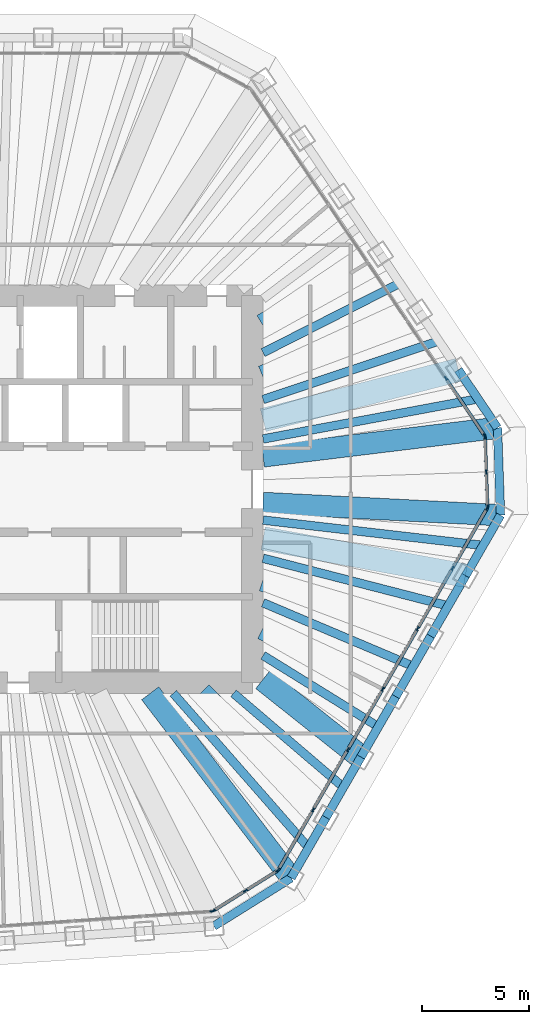
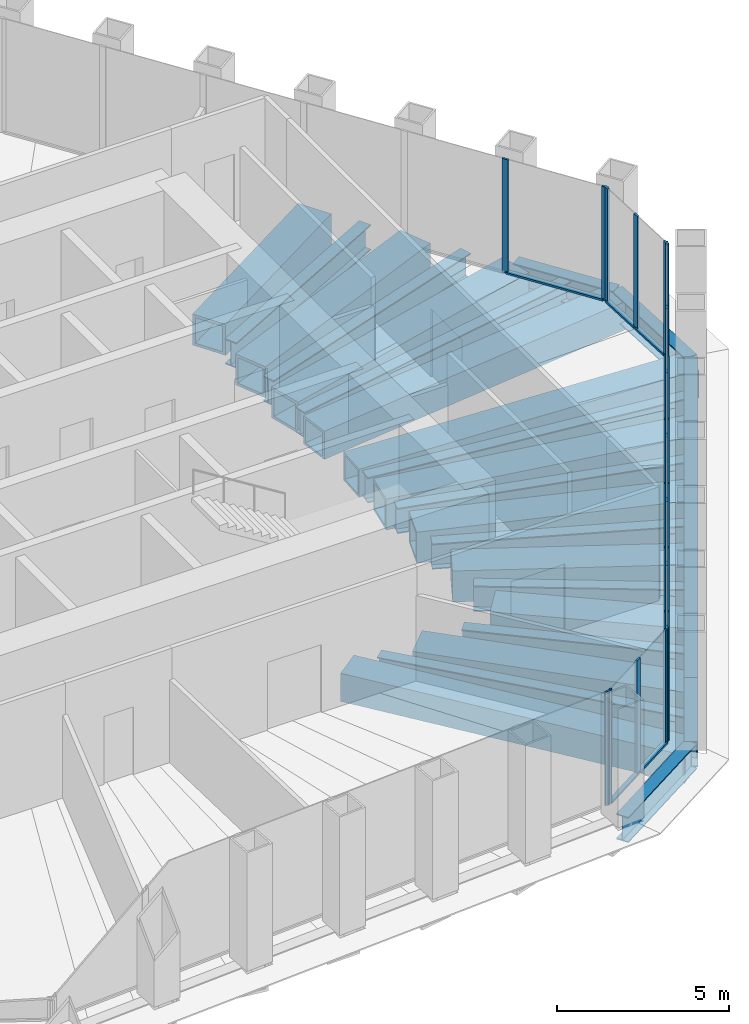
# One storey, part 5 of 14: 29 beams, 27 members, 5 elements without a shape of their own.
"""IFC4 building model written with IfcOpenShell, lengths in metres."""

from ifc_helpers import new_model, si_unit, direction, frame, origin, origin_2d, place, context, subcontext, project, spatial, rectangle, hollow_rectangle, i_section, extrude, material, material_profile, profile_set, type_object, element, aggregate, save


model = new_model("IFC4")

# Units and contexts
model_context = context("Model", 3, precision=1e-05, world=origin(), true_north=direction((0.0, 1.0)))
body_context = subcontext(model_context, "Body", "Model", "MODEL_VIEW")
ifc_project = project(units=[si_unit("LENGTHUNIT", "METRE"), si_unit("AREAUNIT", "SQUARE_METRE"), si_unit("VOLUMEUNIT", "CUBIC_METRE"), si_unit("PLANEANGLEUNIT", "RADIAN"), si_unit("MASSUNIT", "GRAM", prefix="KILO")], contexts=[model_context])

# Site, building, storey
site_placement = place(None, origin())
site = spatial("IfcSite", under=ifc_project, at=site_placement, CompositionType="ELEMENT")
building_placement = place(site_placement, origin())
building = spatial("IfcBuilding", under=site, at=building_placement, Name="Qingtian Harvest Tower", CompositionType="ELEMENT")
storey_placement = place(building_placement, frame((0.0, 0.0, 299.800048828125)))
storey = spatial("IfcBuildingStorey", under=building, at=storey_placement, Name="L66", CompositionType="ELEMENT", Elevation=299.800048828125)

# Beams
ifc_material_1 = material(Name="Steel SN490B", Category="steel")
ifc_material_profile_1 = material_profile(ifc_material_1, i_section(OverallWidth=0.39990234375, OverallDepth=0.89990234375, WebThickness=0.01904296875, FlangeThickness=0.035888671875, at=origin_2d()), Name="H900x400x19x36")
ifc_profile_set_1 = profile_set([ifc_material_profile_1], Name="Steel SN490B")
beam_type_1 = type_object("IfcBeamType", Name="Floor joist J4 H900x400x19x36", PredefinedType="JOIST", material=ifc_profile_set_1)
beam_1_placement = place(storey_placement, frame((18.864990234375, 9.585693359375, -0.6201171875), z_axis=(-0.891515522375, -0.452990147094, 0.0), x_axis=(0.452990147094, -0.891515522375, 0.0)))
element("IfcBeam", 1, at=beam_1_placement, inside=storey, type_object=beam_type_1, Name="Floor joist J4 NE3", PredefinedType="JOIST", context=body_context, shape_type="SweptSolid", body=[
    extrude(i_section(OverallWidth=0.39990234375, OverallDepth=0.89990234375, WebThickness=0.01904296875, FlangeThickness=0.035888671875, at=origin_2d()), origin(), (0.0, 0.0, 1.0), 7.139404296875),
])
beam_2_placement = place(storey_placement, frame((20.68115234375, 6.89306640625, -0.6201171875), z_axis=(-0.94869179092, -0.316202286267, 0.0), x_axis=(0.316202286267, -0.94869179092, 0.0)))
element("IfcBeam", 2, at=beam_2_placement, inside=storey, type_object=beam_type_1, Name="Floor joist J4 NE4", PredefinedType="JOIST", context=body_context, shape_type="SweptSolid", body=[
    extrude(i_section(OverallWidth=0.39990234375, OverallDepth=0.89990234375, WebThickness=0.01904296875, FlangeThickness=0.035888671875, at=origin_2d()), origin(), (0.0, 0.0, 1.0), 8.62353515625),
])
beam_3_placement = place(storey_placement, frame((22.49755859375, 4.2001953125, -0.6201171875), z_axis=(-0.983015918388, -0.183520310038, 0.0), x_axis=(0.183520310038, -0.983015918388, 0.0)))
element("IfcBeam", 3, at=beam_3_placement, inside=storey, type_object=beam_type_1, Name="Floor joist J4 NE5", PredefinedType="JOIST", context=body_context, shape_type="SweptSolid", body=[
    extrude(i_section(OverallWidth=0.39990234375, OverallDepth=0.89990234375, WebThickness=0.01904296875, FlangeThickness=0.035888671875, at=origin_2d()), origin(), (0.0, 0.0, 1.0), 10.17041015625),
])
beam_4_placement = place(storey_placement, frame((22.735595703125, -2.62060546875, -0.6201171875), z_axis=(-0.993423767351, 0.114495495381, 0.0), x_axis=(-0.114495495381, -0.993423767351, 0.0)))
element("IfcBeam", 4, at=beam_4_placement, inside=storey, type_object=beam_type_1, Name="Floor joist J4 SE0", PredefinedType="JOIST", context=body_context, shape_type="SweptSolid", body=[
    extrude(i_section(OverallWidth=0.39990234375, OverallDepth=0.89990234375, WebThickness=0.01904296875, FlangeThickness=0.035888671875, at=origin_2d()), origin(), (0.0, 0.0, 1.0), 10.303466796875),
])
beam_5_placement = place(storey_placement, frame((21.111572265625, -5.43359375, -0.6201171875), z_axis=(-0.968434631662, 0.249267655738, 0.0), x_axis=(-0.249267655738, -0.968434631662, 0.0)))
element("IfcBeam", 5, at=beam_5_placement, inside=storey, type_object=beam_type_1, Name="Floor joist J4 SE1", PredefinedType="JOIST", context=body_context, shape_type="SweptSolid", body=[
    extrude(i_section(OverallWidth=0.39990234375, OverallDepth=0.89990234375, WebThickness=0.01904296875, FlangeThickness=0.035888671875, at=origin_2d()), origin(), (0.0, 0.0, 1.0), 8.892333984375),
])
beam_6_placement = place(storey_placement, frame((19.487548828125, -8.246337890625, -0.6201171875), z_axis=(-0.920942823677, 0.389697723265, 0.0), x_axis=(-0.389697723265, -0.920942823677, 0.0)))
element("IfcBeam", 6, at=beam_6_placement, inside=storey, type_object=beam_type_1, Name="Floor joist J4 SE2", PredefinedType="JOIST", context=body_context, shape_type="SweptSolid", body=[
    extrude(i_section(OverallWidth=0.39990234375, OverallDepth=0.89990234375, WebThickness=0.01904296875, FlangeThickness=0.035888671875, at=origin_2d()), origin(), (0.0, 0.0, 1.0), 7.58740234375),
])
beam_7_placement = place(storey_placement, frame((17.863525390625, -11.059326171875, -0.6201171875), z_axis=(-0.850245350939, 0.52638659102, 0.0), x_axis=(-0.52638659102, -0.850245350939, 0.0)))
element("IfcBeam", 7, at=beam_7_placement, inside=storey, type_object=beam_type_1, Name="Floor joist J4 SE3", PredefinedType="JOIST", context=body_context, shape_type="SweptSolid", body=[
    extrude(i_section(OverallWidth=0.39990234375, OverallDepth=0.89990234375, WebThickness=0.01904296875, FlangeThickness=0.035888671875, at=origin_2d()), origin(), (0.0, 0.0, 1.0), 6.30810546875),
])
beam_8_placement = place(storey_placement, frame((16.239501953125, -13.8720703125, -0.6201171875), z_axis=(-0.760351288112, 0.649512061987, 0.0), x_axis=(-0.649512061987, -0.760351288112, 0.0)))
element("IfcBeam", 8, at=beam_8_placement, inside=storey, type_object=beam_type_1, Name="Floor joist J4 SE4", PredefinedType="JOIST", context=body_context, shape_type="SweptSolid", body=[
    extrude(i_section(OverallWidth=0.39990234375, OverallDepth=0.89990234375, WebThickness=0.01904296875, FlangeThickness=0.035888671875, at=origin_2d()), origin(), (0.0, 0.0, 1.0), 6.731201171875),
])
beam_9_placement = place(storey_placement, frame((14.615478515625, -16.68505859375, -0.6201171875), z_axis=(-0.658906232771, 0.752225083612, 0.0), x_axis=(-0.752225083612, -0.658906232771, 0.0)))
element("IfcBeam", 9, at=beam_9_placement, inside=storey, type_object=beam_type_1, Name="Floor joist J4 SE5", PredefinedType="JOIST", context=body_context, shape_type="SweptSolid", body=[
    extrude(i_section(OverallWidth=0.39990234375, OverallDepth=0.89990234375, WebThickness=0.01904296875, FlangeThickness=0.035888671875, at=origin_2d()), origin(), (0.0, 0.0, 1.0), 9.5517578125),
])

# Curtain wall, members
ifc_material_2 = material(Name="Bronze-anodised aluminium curtain wall", Category="aluminium")
curtain_wall_type = type_object("IfcCurtainWallType", Name="Curtain wall CW5 upper office", PredefinedType="USERDEFINED", material=ifc_material_2)
curtain_wall_1_placement = place(storey_placement, origin())
curtain_wall_1 = element("IfcCurtainWall", 10, at=curtain_wall_1_placement, inside=storey, type_object=curtain_wall_type, Name="Curtain wall CW5 L66 NE0-5", ObjectType="RECESSED CURTAIN WALL", PredefinedType="USERDEFINED")
ifc_material_3 = material(Name="Bronze-anodised aluminium mullion", Category="aluminium")
ifc_material_profile_2 = material_profile(ifc_material_3, rectangle(XDim=0.06494140625, YDim=0.199951171875, at=origin_2d()), Name="AL 65x200")
ifc_profile_set_2 = profile_set([ifc_material_profile_2], Name="Bronze-anodised aluminium mullion")
member_type_1 = type_object("IfcMemberType", Name="Mullion CWM 65x200", PredefinedType="MULLION", material=ifc_profile_set_2)
member_1_placement = place(storey_placement, frame((21.009033203125, 5.1552734375, 0.0), z_axis=(0.0, 0.0, 1.0), x_axis=(0.829037572555, 0.559192903471, 0.0)))
member_1 = element("IfcMember", 11, at=member_1_placement, type_object=member_type_1, Name="CW5 mullion 6", PredefinedType="MULLION", context=body_context, shape_type="SweptSolid", body=[
    extrude(rectangle(XDim=0.06494140625, YDim=0.199951171875, at=origin_2d()), origin(), (0.0, 0.0, 1.0), 4.030029296875),
])
member_2_placement = place(storey_placement, frame((22.80712890625, 2.489501953125, 0.0), z_axis=(0.0, 0.0, 1.0), x_axis=(0.829037572555, 0.559192903471, 0.0)))
member_2 = element("IfcMember", 12, at=member_2_placement, type_object=member_type_1, Name="CW5 mullion 7", PredefinedType="MULLION", context=body_context, shape_type="SweptSolid", body=[
    extrude(rectangle(XDim=0.06494140625, YDim=0.199951171875, at=origin_2d()), origin(), (0.0, 0.0, 1.0), 4.030029296875),
])

curtain_wall_2_placement = place(storey_placement, origin())
curtain_wall_2 = element("IfcCurtainWall", 13, at=curtain_wall_2_placement, inside=storey, type_object=curtain_wall_type, Name="Curtain wall CW5 L66 NEC", ObjectType="RECESSED CURTAIN WALL", PredefinedType="USERDEFINED")
member_3_placement = place(storey_placement, frame((22.826416015625, 2.429931640625, 0.0), z_axis=(0.0, 0.0, 1.0), x_axis=(0.999390827019, 0.034899496703, 0.0)))
member_3 = element("IfcMember", 14, at=member_3_placement, type_object=member_type_1, Name="CW5 mullion 1", PredefinedType="MULLION", context=body_context, shape_type="SweptSolid", body=[
    extrude(rectangle(XDim=0.06494140625, YDim=0.199951171875, at=origin_2d()), origin(), (0.0, 0.0, 1.0), 4.030029296875),
])
member_4_placement = place(storey_placement, frame((22.88330078125, 0.799072265625, 0.0), z_axis=(0.0, 0.0, 1.0), x_axis=(0.999390827019, 0.034899496703, 0.0)))
member_4 = element("IfcMember", 15, at=member_4_placement, type_object=member_type_1, Name="CW5 mullion 2", PredefinedType="MULLION", context=body_context, shape_type="SweptSolid", body=[
    extrude(rectangle(XDim=0.06494140625, YDim=0.199951171875, at=origin_2d()), origin(), (0.0, 0.0, 1.0), 4.030029296875),
])
member_5_placement = place(storey_placement, frame((22.9404296875, -0.831787109375, 0.0), z_axis=(0.0, 0.0, 1.0), x_axis=(0.999390827019, 0.034899496703, 0.0)))
member_5 = element("IfcMember", 16, at=member_5_placement, type_object=member_type_1, Name="CW5 mullion 3", PredefinedType="MULLION", context=body_context, shape_type="SweptSolid", body=[
    extrude(rectangle(XDim=0.06494140625, YDim=0.199951171875, at=origin_2d()), origin(), (0.0, 0.0, 1.0), 4.030029296875),
])

curtain_wall_3_placement = place(storey_placement, origin())
curtain_wall_3 = element("IfcCurtainWall", 17, at=curtain_wall_3_placement, inside=storey, type_object=curtain_wall_type, Name="Curtain wall CW5 L66 SE0-5", ObjectType="RECESSED CURTAIN WALL", PredefinedType="USERDEFINED")
member_6_placement = place(storey_placement, frame((22.92529296875, -0.892333984375, 0.0), z_axis=(0.0, 0.0, 1.0), x_axis=(0.866025403784, -0.5, 0.0)))
member_6 = element("IfcMember", 18, at=member_6_placement, type_object=member_type_1, Name="CW5 mullion 1", PredefinedType="MULLION", context=body_context, shape_type="SweptSolid", body=[
    extrude(rectangle(XDim=0.06494140625, YDim=0.199951171875, at=origin_2d()), origin(), (0.0, 0.0, 1.0), 4.030029296875),
])
member_7_placement = place(storey_placement, frame((21.3173828125, -3.67724609375, 0.0), z_axis=(0.0, 0.0, 1.0), x_axis=(0.866025403784, -0.5, 0.0)))
member_7 = element("IfcMember", 19, at=member_7_placement, type_object=member_type_1, Name="CW5 mullion 2", PredefinedType="MULLION", context=body_context, shape_type="SweptSolid", body=[
    extrude(rectangle(XDim=0.06494140625, YDim=0.199951171875, at=origin_2d()), origin(), (0.0, 0.0, 1.0), 4.030029296875),
])
member_8_placement = place(storey_placement, frame((19.693359375, -6.489990234375, 0.0), z_axis=(0.0, 0.0, 1.0), x_axis=(0.866025403784, -0.5, 0.0)))
member_8 = element("IfcMember", 20, at=member_8_placement, type_object=member_type_1, Name="CW5 mullion 3", PredefinedType="MULLION", context=body_context, shape_type="SweptSolid", body=[
    extrude(rectangle(XDim=0.06494140625, YDim=0.199951171875, at=origin_2d()), origin(), (0.0, 0.0, 1.0), 4.030029296875),
])
member_9_placement = place(storey_placement, frame((18.0693359375, -9.302978515625, 0.0), z_axis=(0.0, 0.0, 1.0), x_axis=(0.866025403784, -0.5, 0.0)))
member_9 = element("IfcMember", 21, at=member_9_placement, type_object=member_type_1, Name="CW5 mullion 4", PredefinedType="MULLION", context=body_context, shape_type="SweptSolid", body=[
    extrude(rectangle(XDim=0.06494140625, YDim=0.199951171875, at=origin_2d()), origin(), (0.0, 0.0, 1.0), 4.030029296875),
])
member_10_placement = place(storey_placement, frame((16.4453125, -12.11572265625, 0.0), z_axis=(0.0, 0.0, 1.0), x_axis=(0.866025403784, -0.5, 0.0)))
member_10 = element("IfcMember", 22, at=member_10_placement, type_object=member_type_1, Name="CW5 mullion 5", PredefinedType="MULLION", context=body_context, shape_type="SweptSolid", body=[
    extrude(rectangle(XDim=0.06494140625, YDim=0.199951171875, at=origin_2d()), origin(), (0.0, 0.0, 1.0), 4.030029296875),
])
member_11_placement = place(storey_placement, frame((14.8212890625, -14.9287109375, 0.0), z_axis=(0.0, 0.0, 1.0), x_axis=(0.866025403784, -0.5, 0.0)))
member_11 = element("IfcMember", 23, at=member_11_placement, type_object=member_type_1, Name="CW5 mullion 6", PredefinedType="MULLION", context=body_context, shape_type="SweptSolid", body=[
    extrude(rectangle(XDim=0.06494140625, YDim=0.199951171875, at=origin_2d()), origin(), (0.0, 0.0, 1.0), 4.030029296875),
])
member_12_placement = place(storey_placement, frame((13.213623046875, -17.71337890625, 0.0), z_axis=(0.0, 0.0, 1.0), x_axis=(0.866025403784, -0.5, 0.0)))
member_12 = element("IfcMember", 24, at=member_12_placement, type_object=member_type_1, Name="CW5 mullion 7", PredefinedType="MULLION", context=body_context, shape_type="SweptSolid", body=[
    extrude(rectangle(XDim=0.06494140625, YDim=0.199951171875, at=origin_2d()), origin(), (0.0, 0.0, 1.0), 4.030029296875),
])

curtain_wall_4_placement = place(storey_placement, origin())
curtain_wall_4 = element("IfcCurtainWall", 25, at=curtain_wall_4_placement, inside=storey, type_object=curtain_wall_type, Name="Curtain wall CW5 L66 SEC", ObjectType="RECESSED CURTAIN WALL", PredefinedType="USERDEFINED")
member_13_placement = place(storey_placement, frame((13.169921875, -17.7587890625, 0.0), z_axis=(0.0, 0.0, 1.0), x_axis=(0.529919264233, -0.848048096156, 0.0)))
member_13 = element("IfcMember", 26, at=member_13_placement, type_object=member_type_1, Name="CW5 mullion 1", PredefinedType="MULLION", context=body_context, shape_type="SweptSolid", body=[
    extrude(rectangle(XDim=0.06494140625, YDim=0.199951171875, at=origin_2d()), origin(), (0.0, 0.0, 1.0), 4.030029296875),
])
member_14_placement = place(storey_placement, frame((11.678955078125, -18.690185546875, 0.0), z_axis=(0.0, 0.0, 1.0), x_axis=(0.529919264233, -0.848048096156, 0.0)))
member_14 = element("IfcMember", 27, at=member_14_placement, type_object=member_type_1, Name="CW5 mullion 2", PredefinedType="MULLION", context=body_context, shape_type="SweptSolid", body=[
    extrude(rectangle(XDim=0.06494140625, YDim=0.199951171875, at=origin_2d()), origin(), (0.0, 0.0, 1.0), 4.030029296875),
])
member_15_placement = place(storey_placement, frame((10.188232421875, -19.621826171875, 0.0), z_axis=(0.0, 0.0, 1.0), x_axis=(0.529919264233, -0.848048096156, 0.0)))
member_15 = element("IfcMember", 28, at=member_15_placement, type_object=member_type_1, Name="CW5 mullion 3", PredefinedType="MULLION", context=body_context, shape_type="SweptSolid", body=[
    extrude(rectangle(XDim=0.06494140625, YDim=0.199951171875, at=origin_2d()), origin(), (0.0, 0.0, 1.0), 4.030029296875),
])

# Curtain wall, member
curtain_wall_5_placement = place(storey_placement, origin())
curtain_wall_5 = element("IfcCurtainWall", 29, at=curtain_wall_5_placement, inside=storey, type_object=curtain_wall_type, Name="Curtain wall CW5 L66 S0-5", ObjectType="RECESSED CURTAIN WALL", PredefinedType="USERDEFINED")
member_16_placement = place(storey_placement, frame((10.128173828125, -19.641357421875, 0.0), z_axis=(0.0, 0.0, 1.0), x_axis=(0.069756473744, -0.99756405026, 0.0)))
member_16 = element("IfcMember", 30, at=member_16_placement, type_object=member_type_1, Name="CW5 mullion 1", PredefinedType="MULLION", context=body_context, shape_type="SweptSolid", body=[
    extrude(rectangle(XDim=0.06494140625, YDim=0.199951171875, at=origin_2d()), origin(), (0.0, 0.0, 1.0), 4.030029296875),
])
aggregate(curtain_wall_5, [member_16])

# Beams
ifc_material_4 = material(Name="Steel SN490B", Category="steel")
ifc_material_profile_3 = material_profile(ifc_material_4, i_section(OverallWidth=0.39990234375, OverallDepth=0.89990234375, WebThickness=0.01904296875, FlangeThickness=0.035888671875, at=origin_2d()), Name="H900x400x19x36")
ifc_profile_set_3 = profile_set([ifc_material_profile_3], Name="Steel SN490B")
beam_type_2 = type_object("IfcBeamType", Name="Spandrel beam SB4 H900x400x19x36", PredefinedType="SPANDREL", material=ifc_profile_set_3)
beam_10_placement = place(storey_placement, frame((21.58935546875, 5.546630859375, -0.449951171875), z_axis=(0.559184924833, -0.829042954158, 0.0), x_axis=(0.829042954158, 0.559184924833, 0.0)))
element("IfcBeam", 31, at=beam_10_placement, inside=storey, type_object=beam_type_2, Name="Spandrel SB4 NE5", PredefinedType="SPANDREL", context=body_context, shape_type="SweptSolid", body=[
    extrude(i_section(OverallWidth=0.39990234375, OverallDepth=0.89990234375, WebThickness=0.01904296875, FlangeThickness=0.035888671875, at=origin_2d()), origin(), (0.0, 0.0, 1.0), 3.247802734375),
])
beam_11_placement = place(storey_placement, frame((23.405517578125, 2.85400390625, -0.449951171875), z_axis=(0.034904306503, -0.999390659046, 0.0), x_axis=(0.999390659046, 0.034904306503, 0.0)))
element("IfcBeam", 32, at=beam_11_placement, inside=storey, type_object=beam_type_2, Name="Spandrel SB4 NEC", PredefinedType="SPANDREL", context=body_context, shape_type="SweptSolid", body=[
    extrude(i_section(OverallWidth=0.39990234375, OverallDepth=0.89990234375, WebThickness=0.01904296875, FlangeThickness=0.035888671875, at=origin_2d()), origin(), (0.0, 0.0, 1.0), 4.07080078125),
])
beam_12_placement = place(storey_placement, frame((23.547607421875, -1.21435546875, -0.449951171875), z_axis=(-0.500019593356, -0.866014091259, 0.0), x_axis=(0.866014091259, -0.500019593356, 0.0)))
element("IfcBeam", 33, at=beam_12_placement, inside=storey, type_object=beam_type_2, Name="Spandrel SB4 SE0", PredefinedType="SPANDREL", context=body_context, shape_type="SweptSolid", body=[
    extrude(i_section(OverallWidth=0.39990234375, OverallDepth=0.89990234375, WebThickness=0.01904296875, FlangeThickness=0.035888671875, at=origin_2d()), origin(), (0.0, 0.0, 1.0), 3.247802734375),
])
beam_13_placement = place(storey_placement, frame((21.923583984375, -4.027099609375, -0.449951171875), z_axis=(-0.499987045439, -0.866032882975, 0.0), x_axis=(0.866032882975, -0.499987045439, 0.0)))
element("IfcBeam", 34, at=beam_13_placement, inside=storey, type_object=beam_type_2, Name="Spandrel SB4 SE1", PredefinedType="SPANDREL", context=body_context, shape_type="SweptSolid", body=[
    extrude(i_section(OverallWidth=0.39990234375, OverallDepth=0.89990234375, WebThickness=0.01904296875, FlangeThickness=0.035888671875, at=origin_2d()), origin(), (0.0, 0.0, 1.0), 3.248046875),
])
beam_14_placement = place(storey_placement, frame((20.299560546875, -6.840087890625, -0.449951171875), z_axis=(-0.500019593356, -0.866014091259, 0.0), x_axis=(0.866014091259, -0.500019593356, 0.0)))
element("IfcBeam", 35, at=beam_14_placement, inside=storey, type_object=beam_type_2, Name="Spandrel SB4 SE2", PredefinedType="SPANDREL", context=body_context, shape_type="SweptSolid", body=[
    extrude(i_section(OverallWidth=0.39990234375, OverallDepth=0.89990234375, WebThickness=0.01904296875, FlangeThickness=0.035888671875, at=origin_2d()), origin(), (0.0, 0.0, 1.0), 3.247802734375),
])
beam_15_placement = place(storey_placement, frame((18.675537109375, -9.65283203125, -0.449951171875), z_axis=(-0.499987045439, -0.866032882975, 0.0), x_axis=(0.866032882975, -0.499987045439, 0.0)))
element("IfcBeam", 36, at=beam_15_placement, inside=storey, type_object=beam_type_2, Name="Spandrel SB4 SE3", PredefinedType="SPANDREL", context=body_context, shape_type="SweptSolid", body=[
    extrude(i_section(OverallWidth=0.39990234375, OverallDepth=0.89990234375, WebThickness=0.01904296875, FlangeThickness=0.035888671875, at=origin_2d()), origin(), (0.0, 0.0, 1.0), 3.248046875),
])
beam_16_placement = place(storey_placement, frame((17.051513671875, -12.4658203125, -0.449951171875), z_axis=(-0.500019593356, -0.866014091259, 0.0), x_axis=(0.866014091259, -0.500019593356, 0.0)))
element("IfcBeam", 37, at=beam_16_placement, inside=storey, type_object=beam_type_2, Name="Spandrel SB4 SE4", PredefinedType="SPANDREL", context=body_context, shape_type="SweptSolid", body=[
    extrude(i_section(OverallWidth=0.39990234375, OverallDepth=0.89990234375, WebThickness=0.01904296875, FlangeThickness=0.035888671875, at=origin_2d()), origin(), (0.0, 0.0, 1.0), 3.247802734375),
])
beam_17_placement = place(storey_placement, frame((15.427490234375, -15.278564453125, -0.449951171875), z_axis=(-0.499987045439, -0.866032882975, 0.0), x_axis=(0.866032882975, -0.499987045439, 0.0)))
element("IfcBeam", 38, at=beam_17_placement, inside=storey, type_object=beam_type_2, Name="Spandrel SB4 SE5", PredefinedType="SPANDREL", context=body_context, shape_type="SweptSolid", body=[
    extrude(i_section(OverallWidth=0.39990234375, OverallDepth=0.89990234375, WebThickness=0.01904296875, FlangeThickness=0.035888671875, at=origin_2d()), origin(), (0.0, 0.0, 1.0), 3.248046875),
])
beam_18_placement = place(storey_placement, frame((13.803466796875, -18.091552734375, -0.449951171875), z_axis=(-0.848040374245, -0.529931621675, 0.0), x_axis=(0.529931621675, -0.848040374245, 0.0)))
element("IfcBeam", 39, at=beam_18_placement, inside=storey, type_object=beam_type_2, Name="Spandrel SB4 SEC", PredefinedType="SPANDREL", context=body_context, shape_type="SweptSolid", body=[
    extrude(i_section(OverallWidth=0.39990234375, OverallDepth=0.89990234375, WebThickness=0.01904296875, FlangeThickness=0.035888671875, at=origin_2d()), origin(), (0.0, 0.0, 1.0), 4.238037109375),
])
ifc_material_5 = material(Name="Steel SM570MC", Category="steel")
ifc_material_profile_4 = material_profile(ifc_material_5, hollow_rectangle(XDim=1.0, YDim=1.0, WallThickness=0.080078125, at=origin_2d()), Name="BOX1000x1000x80")
ifc_profile_set_4 = profile_set([ifc_material_profile_4], Name="Steel SM570MC")
beam_type_3 = type_object("IfcBeamType", Name="Transfer corner beam FB11 BOX1000x1000x80", PredefinedType="BEAM", material=ifc_profile_set_4)
beam_19_placement = place(storey_placement, frame((23.405517578125, 2.85400390625, -0.670166015625), z_axis=(-0.99264704984, -0.12104476215, 0.0), x_axis=(0.12104476215, -0.99264704984, 0.0)))
element("IfcBeam", 40, at=beam_19_placement, inside=storey, type_object=beam_type_3, Name="Floor beam FB11 NE6", PredefinedType="BEAM", context=body_context, shape_type="SweptSolid", body=[
    extrude(hollow_rectangle(XDim=1.0, YDim=1.0, WallThickness=0.080078125, at=origin_2d()), origin(), (0.0, 0.0, 1.0), 10.986328125),
])
beam_20_placement = place(storey_placement, frame((23.547607421875, -1.21435546875, -0.670166015625), z_axis=(-0.998672453152, 0.051510497131, 0.0), x_axis=(-0.051510497131, -0.998672453152, 0.0)))
element("IfcBeam", 41, at=beam_20_placement, inside=storey, type_object=beam_type_3, Name="Floor beam FB11 SE0", PredefinedType="BEAM", context=body_context, shape_type="SweptSolid", body=[
    extrude(hollow_rectangle(XDim=1.0, YDim=1.0, WallThickness=0.080078125, at=origin_2d()), origin(), (0.0, 0.0, 1.0), 11.062255859375),
])
beam_21_placement = place(storey_placement, frame((13.803466796875, -18.091552734375, -0.670166015625), z_axis=(-0.60658352266, 0.795019767073, 0.0), x_axis=(-0.795019767073, -0.60658352266, 0.0)))
element("IfcBeam", 42, at=beam_21_placement, inside=storey, type_object=beam_type_3, Name="Floor beam FB11 SE6", PredefinedType="BEAM", context=body_context, shape_type="SweptSolid", body=[
    extrude(hollow_rectangle(XDim=1.0, YDim=1.0, WallThickness=0.080078125, at=origin_2d()), origin(), (0.0, 0.0, 1.0), 10.806640625),
])
ifc_material_6 = material(Name="Steel SM570MC", Category="steel")
ifc_material_profile_5 = material_profile(ifc_material_6, hollow_rectangle(XDim=1.10009765625, YDim=1.10009765625, WallThickness=0.10009765625, at=origin_2d()), Name="BOX1100x1100x100")
ifc_profile_set_5 = profile_set([ifc_material_profile_5], Name="Steel SM570MC")
beam_type_4 = type_object("IfcBeamType", Name="Transfer floor beam FB9 BOX1100x1100x100", PredefinedType="BEAM", material=ifc_profile_set_5)
beam_22_placement = place(storey_placement, frame((17.956787109375, 10.93212890625, -0.719970703125), z_axis=(-0.854163869478, -0.520003926983, 0.0), x_axis=(0.520003926983, -0.854163869478, 0.0)))
element("IfcBeam", 43, at=beam_22_placement, inside=storey, type_object=beam_type_4, Name="Floor beam FB9 NE3", PredefinedType="BEAM", context=body_context, shape_type="SweptSolid", body=[
    extrude(hollow_rectangle(XDim=1.10009765625, YDim=1.10009765625, WallThickness=0.10009765625, at=origin_2d()), origin(), (0.0, 0.0, 1.0), 6.388427734375),
])
beam_23_placement = place(storey_placement, frame((19.77294921875, 8.2392578125, -0.719970703125), z_axis=(-0.923071422518, -0.38462858569, 0.0), x_axis=(0.38462858569, -0.923071422518, 0.0)))
element("IfcBeam", 44, at=beam_23_placement, inside=storey, type_object=beam_type_4, Name="Floor beam FB9 NE4", PredefinedType="BEAM", context=body_context, shape_type="SweptSolid", body=[
    extrude(hollow_rectangle(XDim=1.10009765625, YDim=1.10009765625, WallThickness=0.10009765625, at=origin_2d()), origin(), (0.0, 0.0, 1.0), 7.879150390625),
])
beam_24_placement = place(storey_placement, frame((21.58935546875, 5.546630859375, -0.719970703125), z_axis=(-0.968545797703, -0.248835362746, 0.0), x_axis=(0.248835362746, -0.968545797703, 0.0)))
element("IfcBeam", 45, at=beam_24_placement, inside=storey, type_object=beam_type_4, Name="Floor beam FB9 NE5", PredefinedType="BEAM", context=body_context, shape_type="SweptSolid", body=[
    extrude(hollow_rectangle(XDim=1.10009765625, YDim=1.10009765625, WallThickness=0.10009765625, at=origin_2d()), origin(), (0.0, 0.0, 1.0), 9.384521484375),
])
beam_25_placement = place(storey_placement, frame((21.923583984375, -4.027099609375, -0.719970703125), z_axis=(-0.983545410638, 0.180661078303, 0.0), x_axis=(-0.180661078303, -0.983545410638, 0.0)))
element("IfcBeam", 46, at=beam_25_placement, inside=storey, type_object=beam_type_4, Name="Floor beam FB9 SE1", PredefinedType="BEAM", context=body_context, shape_type="SweptSolid", body=[
    extrude(hollow_rectangle(XDim=1.10009765625, YDim=1.10009765625, WallThickness=0.10009765625, at=origin_2d()), origin(), (0.0, 0.0, 1.0), 9.581298828125),
])
beam_26_placement = place(storey_placement, frame((20.299560546875, -6.840087890625, -0.719970703125), z_axis=(-0.947645968799, 0.319322905253, 0.0), x_axis=(-0.319322905253, -0.947645968799, 0.0)))
element("IfcBeam", 47, at=beam_26_placement, inside=storey, type_object=beam_type_4, Name="Floor beam FB9 SE2", PredefinedType="BEAM", context=body_context, shape_type="SweptSolid", body=[
    extrude(hollow_rectangle(XDim=1.10009765625, YDim=1.10009765625, WallThickness=0.10009765625, at=origin_2d()), origin(), (0.0, 0.0, 1.0), 8.23046875),
])
beam_27_placement = place(storey_placement, frame((18.675537109375, -9.65283203125, -0.719970703125), z_axis=(-0.888355479692, 0.459156336884, 0.0), x_axis=(-0.459156336884, -0.888355479692, 0.0)))
element("IfcBeam", 48, at=beam_27_placement, inside=storey, type_object=beam_type_4, Name="Floor beam FB9 SE3", PredefinedType="BEAM", context=body_context, shape_type="SweptSolid", body=[
    extrude(hollow_rectangle(XDim=1.10009765625, YDim=1.10009765625, WallThickness=0.10009765625, at=origin_2d()), origin(), (0.0, 0.0, 1.0), 6.95166015625),
])
beam_28_placement = place(storey_placement, frame((17.051513671875, -12.4658203125, -0.719970703125), z_axis=(-0.783003151269, 0.622017736968, 0.0), x_axis=(-0.622017736968, -0.783003151269, 0.0)))
element("IfcBeam", 49, at=beam_28_placement, inside=storey, type_object=beam_type_4, Name="Floor beam FB9 SE4", PredefinedType="BEAM", context=body_context, shape_type="SweptSolid", body=[
    extrude(hollow_rectangle(XDim=1.10009765625, YDim=1.10009765625, WallThickness=0.10009765625, at=origin_2d()), origin(), (0.0, 0.0, 1.0), 5.81298828125),
])
beam_29_placement = place(storey_placement, frame((15.427490234375, -15.278564453125, -0.719970703125), z_axis=(-0.710532187344, 0.703664700513, 0.0), x_axis=(-0.703664700513, -0.710532187344, 0.0)))
element("IfcBeam", 50, at=beam_29_placement, inside=storey, type_object=beam_type_4, Name="Floor beam FB9 SE5", PredefinedType="BEAM", context=body_context, shape_type="SweptSolid", body=[
    extrude(hollow_rectangle(XDim=1.10009765625, YDim=1.10009765625, WallThickness=0.10009765625, at=origin_2d()), origin(), (0.0, 0.0, 1.0), 8.212158203125),
])

# Member
ifc_material_7 = material(Name="Bronze-anodised aluminium transom", Category="aluminium")
ifc_material_profile_6 = material_profile(ifc_material_7, rectangle(XDim=0.14990234375, YDim=0.06494140625, at=origin_2d()), Name="AL 65x150")
ifc_profile_set_6 = profile_set([ifc_material_profile_6], Name="Bronze-anodised aluminium transom")
member_type_2 = type_object("IfcMemberType", Name="Transom CWT 65x150", PredefinedType="USERDEFINED", material=ifc_profile_set_6)
member_17_placement = place(storey_placement, frame((21.027099609375, 5.128173828125, 0.032470703125), z_axis=(0.559198649732, -0.829033696624, 0.0), x_axis=(0.829033696624, 0.559198649732, 0.0)))
member_17 = element("IfcMember", 51, at=member_17_placement, type_object=member_type_2, Name="CW5 transom 6.1", ObjectType="TRANSOM", PredefinedType="USERDEFINED", context=body_context, shape_type="SweptSolid", body=[
    extrude(rectangle(XDim=0.14990234375, YDim=0.06494140625, at=origin_2d()), origin(), (0.0, 0.0, 1.0), 3.150390625),
])

aggregate(curtain_wall_1, [member_1, member_2, member_17])

member_18_placement = place(storey_placement, frame((22.82763671875, 2.3974609375, 0.032470703125), z_axis=(0.034902326647, -0.999390728191, 0.0), x_axis=(0.999390728191, 0.034902326647, 0.0)))
member_18 = element("IfcMember", 52, at=member_18_placement, type_object=member_type_2, Name="CW5 transom 1.1", ObjectType="TRANSOM", PredefinedType="USERDEFINED", context=body_context, shape_type="SweptSolid", body=[
    extrude(rectangle(XDim=0.14990234375, YDim=0.06494140625, at=origin_2d()), origin(), (0.0, 0.0, 1.0), 1.56689453125),
])

member_19_placement = place(storey_placement, frame((22.884521484375, 0.7666015625, 0.032470703125), z_axis=(0.034902326647, -0.999390728191, 0.0), x_axis=(0.999390728191, 0.034902326647, 0.0)))
member_19 = element("IfcMember", 53, at=member_19_placement, type_object=member_type_2, Name="CW5 transom 2.1", ObjectType="TRANSOM", PredefinedType="USERDEFINED", context=body_context, shape_type="SweptSolid", body=[
    extrude(rectangle(XDim=0.14990234375, YDim=0.06494140625, at=origin_2d()), origin(), (0.0, 0.0, 1.0), 1.56689453125),
])

aggregate(curtain_wall_2, [member_3, member_4, member_5, member_18, member_19])

member_20_placement = place(storey_placement, frame((22.908935546875, -0.920654296875, 0.032470703125), z_axis=(-0.50000643655, -0.866021687608, 0.0), x_axis=(0.866021687608, -0.50000643655, 0.0)))
member_20 = element("IfcMember", 54, at=member_20_placement, type_object=member_type_2, Name="CW5 transom 1.1", ObjectType="TRANSOM", PredefinedType="USERDEFINED", context=body_context, shape_type="SweptSolid", body=[
    extrude(rectangle(XDim=0.14990234375, YDim=0.06494140625, at=origin_2d()), origin(), (0.0, 0.0, 1.0), 3.150390625),
])

member_21_placement = place(storey_placement, frame((21.30126953125, -3.705322265625, 0.032470703125), z_axis=(-0.5000079448, -0.866020816803, 0.0), x_axis=(0.866020816803, -0.5000079448, 0.0)))
member_21 = element("IfcMember", 55, at=member_21_placement, type_object=member_type_2, Name="CW5 transom 2.1", ObjectType="TRANSOM", PredefinedType="USERDEFINED", context=body_context, shape_type="SweptSolid", body=[
    extrude(rectangle(XDim=0.14990234375, YDim=0.06494140625, at=origin_2d()), origin(), (0.0, 0.0, 1.0), 3.18310546875),
])

member_22_placement = place(storey_placement, frame((19.67724609375, -6.51806640625, 0.032470703125), z_axis=(-0.5000079448, -0.866020816803, 0.0), x_axis=(0.866020816803, -0.5000079448, 0.0)))
member_22 = element("IfcMember", 56, at=member_22_placement, type_object=member_type_2, Name="CW5 transom 3.1", ObjectType="TRANSOM", PredefinedType="USERDEFINED", context=body_context, shape_type="SweptSolid", body=[
    extrude(rectangle(XDim=0.14990234375, YDim=0.06494140625, at=origin_2d()), origin(), (0.0, 0.0, 1.0), 3.18310546875),
])

member_23_placement = place(storey_placement, frame((18.05322265625, -9.3310546875, 0.032470703125), z_axis=(-0.5000079448, -0.866020816803, 0.0), x_axis=(0.866020816803, -0.5000079448, 0.0)))
member_23 = element("IfcMember", 57, at=member_23_placement, type_object=member_type_2, Name="CW5 transom 4.1", ObjectType="TRANSOM", PredefinedType="USERDEFINED", context=body_context, shape_type="SweptSolid", body=[
    extrude(rectangle(XDim=0.14990234375, YDim=0.06494140625, at=origin_2d()), origin(), (0.0, 0.0, 1.0), 3.18310546875),
])

member_24_placement = place(storey_placement, frame((16.42919921875, -12.143798828125, 0.032470703125), z_axis=(-0.5000079448, -0.866020816803, 0.0), x_axis=(0.866020816803, -0.5000079448, 0.0)))
member_24 = element("IfcMember", 58, at=member_24_placement, type_object=member_type_2, Name="CW5 transom 5.1", ObjectType="TRANSOM", PredefinedType="USERDEFINED", context=body_context, shape_type="SweptSolid", body=[
    extrude(rectangle(XDim=0.14990234375, YDim=0.06494140625, at=origin_2d()), origin(), (0.0, 0.0, 1.0), 3.18310546875),
])

member_25_placement = place(storey_placement, frame((14.80517578125, -14.956787109375, 0.032470703125), z_axis=(-0.499972881236, -0.866041060244, 0.0), x_axis=(0.866041060244, -0.499972881236, 0.0)))
member_25 = element("IfcMember", 59, at=member_25_placement, type_object=member_type_2, Name="CW5 transom 6.1", ObjectType="TRANSOM", PredefinedType="USERDEFINED", context=body_context, shape_type="SweptSolid", body=[
    extrude(rectangle(XDim=0.14990234375, YDim=0.06494140625, at=origin_2d()), origin(), (0.0, 0.0, 1.0), 3.150634765625),
])

aggregate(curtain_wall_3, [member_6, member_7, member_8, member_9, member_10, member_11, member_12, member_20, member_21, member_22, member_23, member_24, member_25])

member_26_placement = place(storey_placement, frame((13.142333984375, -17.77587890625, 0.032470703125), z_axis=(-0.84803880708, -0.529934129573, 0.0), x_axis=(0.529934129573, -0.84803880708, 0.0)))
member_26 = element("IfcMember", 60, at=member_26_placement, type_object=member_type_2, Name="CW5 transom 1.1", ObjectType="TRANSOM", PredefinedType="USERDEFINED", context=body_context, shape_type="SweptSolid", body=[
    extrude(rectangle(XDim=0.14990234375, YDim=0.06494140625, at=origin_2d()), origin(), (0.0, 0.0, 1.0), 1.693115234375),
])

member_27_placement = place(storey_placement, frame((11.6513671875, -18.70751953125, 0.032470703125), z_axis=(-0.847998304005, -0.529998940003, 0.0), x_axis=(0.529998940003, -0.847998304005, 0.0)))
member_27 = element("IfcMember", 61, at=member_27_placement, type_object=member_type_2, Name="CW5 transom 2.1", ObjectType="TRANSOM", PredefinedType="USERDEFINED", context=body_context, shape_type="SweptSolid", body=[
    extrude(rectangle(XDim=0.14990234375, YDim=0.06494140625, at=origin_2d()), origin(), (0.0, 0.0, 1.0), 1.69287109375),
])

aggregate(curtain_wall_4, [member_13, member_14, member_15, member_26, member_27])

save(model, "model.ifc")
